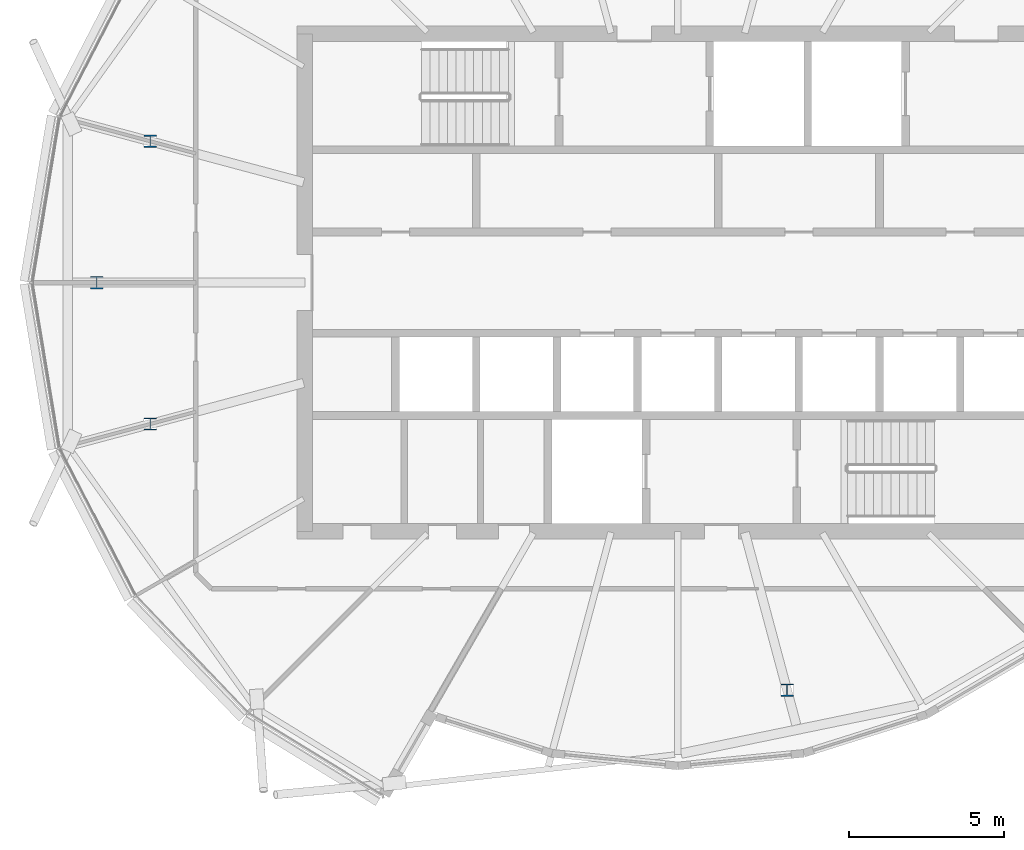
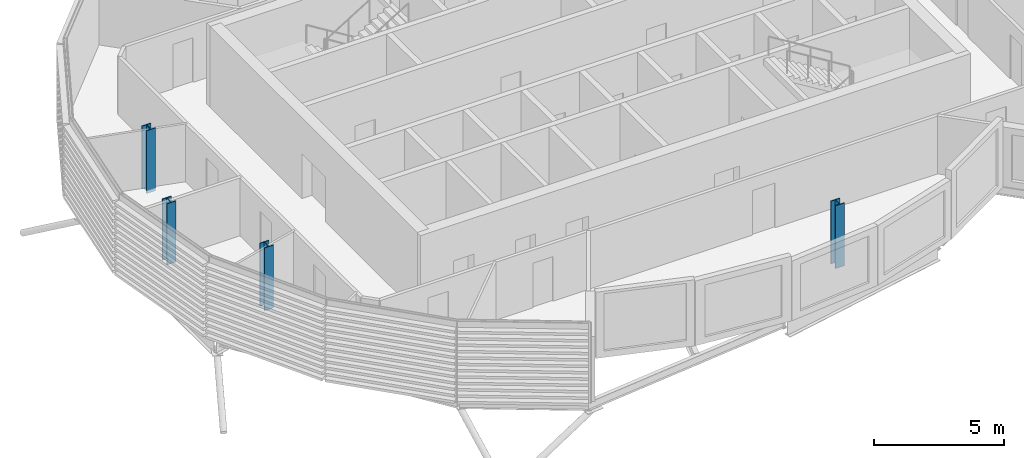
# One storey, part 1 of 35: 4 columns.
"""IFC4 building model written with IfcOpenShell, lengths in metres."""

from ifc_helpers import new_model, si_unit, direction, frame, origin, origin_2d, place, context, subcontext, project, spatial, i_section, extrude, material, material_profile, profile_set, type_object, element, save


model = new_model("IFC4")

# Units and contexts
model_context = context("Model", 3, precision=1e-05, world=origin(), true_north=direction((0.0, 1.0)))
body_context = subcontext(model_context, "Body", "Model", "MODEL_VIEW")
ifc_project = project(units=[si_unit("LENGTHUNIT", "METRE"), si_unit("AREAUNIT", "SQUARE_METRE"), si_unit("VOLUMEUNIT", "CUBIC_METRE"), si_unit("PLANEANGLEUNIT", "RADIAN"), si_unit("MASSUNIT", "GRAM", prefix="KILO")], contexts=[model_context])

# Site, building, storey
site_placement = place(None, origin())
site = spatial("IfcSite", under=ifc_project, at=site_placement, CompositionType="ELEMENT")
building_placement = place(site_placement, origin())
building = spatial("IfcBuilding", under=site, at=building_placement, Name="Rimbun Link Towers", CompositionType="ELEMENT")
storey_placement = place(building_placement, frame((0.0, 0.0, 229.5)))
storey = spatial("IfcBuildingStorey", under=building, at=storey_placement, Name="L56", CompositionType="ELEMENT", Elevation=229.5)

# Columns
ifc_material = material(Name="Steel S355J2", Category="steel")
ifc_material_profile = material_profile(ifc_material, i_section(OverallWidth=0.39892578125, OverallDepth=0.3935546875, WebThickness=0.022705078125, FlangeThickness=0.03662109375, at=origin_2d()), Name="UC 356x406x287")
ifc_profile_set = profile_set([ifc_material_profile], Name="Steel S355J2")
column_type = type_object("IfcColumnType", Name="UC 356x406x287", PredefinedType="COLUMN", material=ifc_profile_set)
column_1_placement = place(storey_placement, frame((-48.723388671875, 4.548095703125, -0.139892578125), z_axis=(0.0, 0.0, 1.0), x_axis=(1.0, 0.0, 0.0)))
element("IfcColumn", 1, at=column_1_placement, inside=storey, type_object=column_type, Name="Crease post T1 L56 11", PredefinedType="COLUMN", context=body_context, shape_type="SweptSolid", body=[
    extrude(i_section(OverallWidth=0.39892578125, OverallDepth=0.3935546875, WebThickness=0.022705078125, FlangeThickness=0.03662109375, at=origin_2d()), origin(), (0.0, 0.0, 1.0), 2.959228515625),
])
column_2_placement = place(storey_placement, frame((-50.44580078125, 0.0, -0.139892578125), z_axis=(0.0, 0.0, 1.0), x_axis=(1.0, 0.0, 0.0)))
element("IfcColumn", 2, at=column_2_placement, inside=storey, type_object=column_type, Name="Crease post T1 L56 12", PredefinedType="COLUMN", context=body_context, shape_type="SweptSolid", body=[
    extrude(i_section(OverallWidth=0.39892578125, OverallDepth=0.3935546875, WebThickness=0.022705078125, FlangeThickness=0.03662109375, at=origin_2d()), origin(), (0.0, 0.0, 1.0), 2.881591796875),
])
for number, where, z_axis, x_axis, name in (
    (3, (-48.723388671875, -4.548095703125, -0.139892578125), (0.0, 0.0, 1.0), (1.0, 0.0, 0.0), "Crease post T1 L56 13"),
    (4, (-28.237548828125, -13.108642578125, -0.139892578125), (0.0, 0.0, 1.0), (1.0, 0.0, 0.0), "Crease post T1 L56 19"),
):
    element("IfcColumn", number, at=place(storey_placement, frame(where, z_axis=z_axis, x_axis=x_axis)), inside=storey, type_object=column_type, Name=name, PredefinedType="COLUMN", context=body_context, shape_type="SweptSolid", body=[
        extrude(i_section(OverallWidth=0.39892578125, OverallDepth=0.3935546875, WebThickness=0.022705078125, FlangeThickness=0.03662109375, at=origin_2d()), origin(), (0.0, 0.0, 1.0), 2.959228515625),
    ])

save(model, "model.ifc")
